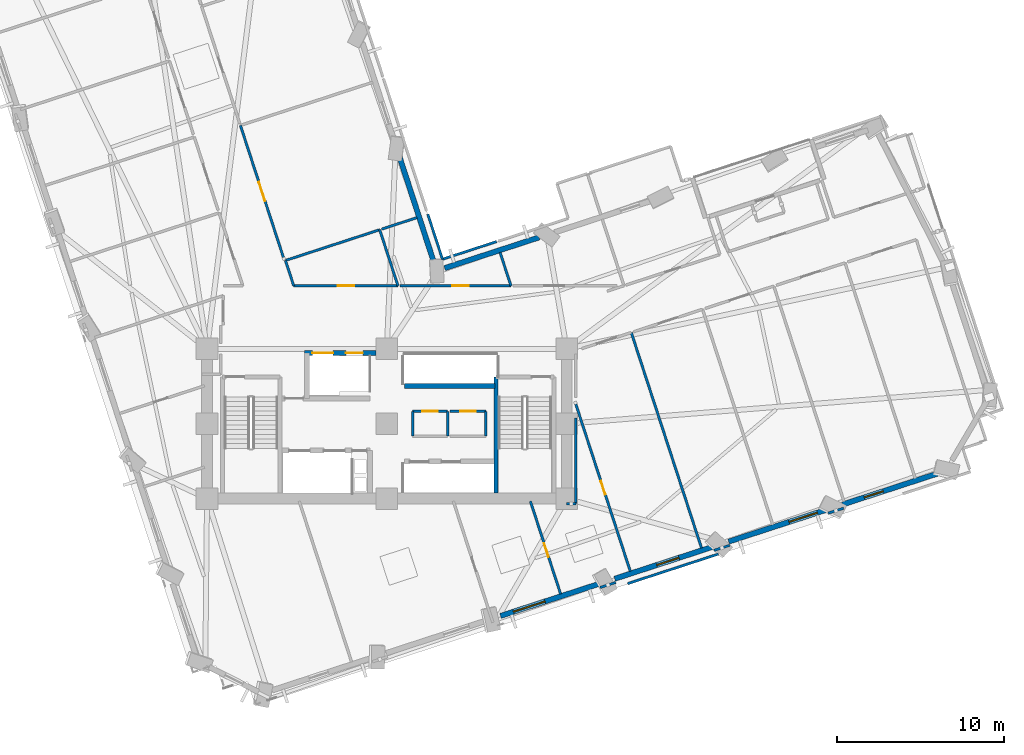
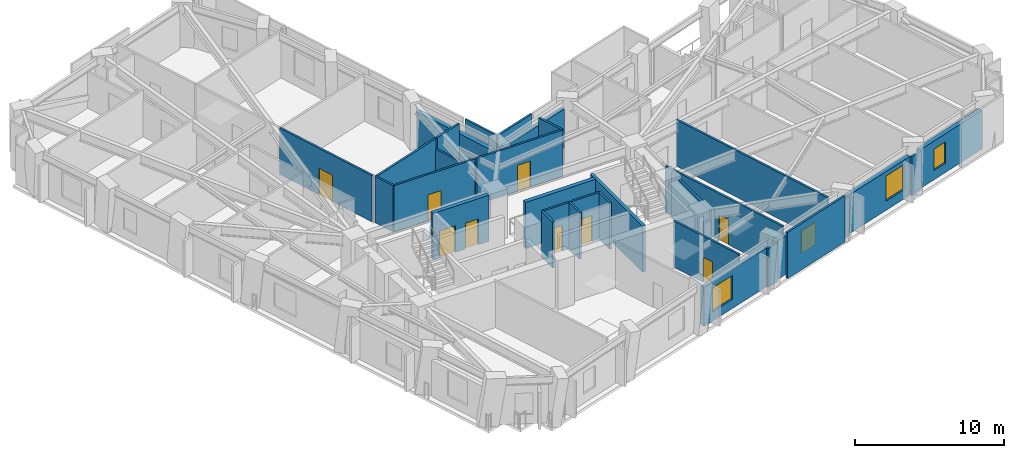
# One storey, part 8 of 16: 33 walls, 9 doors, 4 windows, 13 openings.
"""IFC4 building model written with IfcOpenShell, lengths in metres."""

from ifc_helpers import new_model, si_unit, direction, frame, frame_2d, origin, place, context, subcontext, project, spatial, rectangle, extrude, material, layer, layer_set, type_object, element, fill, save


model = new_model("IFC4")

# Units and contexts
model_context = context("Model", 3, precision=1e-05, world=origin(), true_north=direction((0.0, 1.0)))
body_context = subcontext(model_context, "Body", "Model", "MODEL_VIEW")
ifc_project = project(units=[si_unit("LENGTHUNIT", "METRE"), si_unit("AREAUNIT", "SQUARE_METRE"), si_unit("VOLUMEUNIT", "CUBIC_METRE"), si_unit("PLANEANGLEUNIT", "RADIAN"), si_unit("MASSUNIT", "GRAM", prefix="KILO")], contexts=[model_context])

# Site, building, storey
site_placement = place(None, origin())
site = spatial("IfcSite", under=ifc_project, at=site_placement, CompositionType="ELEMENT")
building_placement = place(site_placement, origin())
building = spatial("IfcBuilding", under=site, at=building_placement, Name="Gaonmaruhae Medical Tower", CompositionType="ELEMENT")
storey_placement = place(building_placement, frame((0.0, 0.0, 100.39990234375)))
storey = spatial("IfcBuildingStorey", under=building, at=storey_placement, Name="L23", CompositionType="ELEMENT", Elevation=100.39990234375)

# Wall, opening, window
ifc_material_1 = material(Name="Precast concrete C45/55", Category="concrete")
ifc_layer_1 = layer(ifc_material_1, 0.320068359375)
ifc_layer_set_1 = layer_set([ifc_layer_1], Name="Precast concrete C45/55")
wall_type_1 = type_object("IfcWallType", Name="EW-320 Lower Precast Masonry-Frame Facade Wall", PredefinedType="SOLIDWALL", material=ifc_layer_set_1)
wall_1_placement = place(storey_placement, frame((37.5361328125, 2.680908203125, 0.0), z_axis=(0.0, 0.0, 1.0), x_axis=(-0.950795017796, -0.309820648334, 0.0)))
wall_1 = element("IfcWall", 1, at=wall_1_placement, inside=storey, type_object=wall_type_1, Name="L23 Precast Masonry-Frame Wall S03-S04", PredefinedType="SOLIDWALL", context=body_context, shape_type="SweptSolid", body=[
    extrude(rectangle(XDim=6.214111328125, YDim=0.320068359375, at=frame_2d((3.10693359375, 0.0))), origin(), (0.0, 0.0, 1.0), 3.1650390625),
])
opening_1_placement = place(wall_1_placement, frame((3.3974609375, 0.0, 0.75)))
opening_1 = element("IfcOpeningElement", 2, at=opening_1_placement, cuts=wall_1, Name="Opening WN-02", PredefinedType="OPENING", context=body_context, shape_type="SweptSolid", body=[
    extrude(rectangle(XDim=2.0, YDim=1.949951171875, at=frame_2d((1.0, 0.97509765625))), frame((0.0, 0.169921875, 0.0), z_axis=(0.0, -1.0, 0.0), x_axis=(1.0, 0.0, 0.0)), (0.0, 0.0, 1.0), 0.340087890625),
])
ifc_material_2 = material(Name="Anodised aluminium and Low-E double glazing", Category="aluminium")
window_type_1 = type_object("IfcWindowType", Name="WN-02 Double-Bed Ward Punched Window 2000x1950", PartitioningType="SINGLE_PANEL", PredefinedType="WINDOW", material=ifc_material_2)
window_1_placement = place(opening_1_placement, origin())
window_1 = element("IfcWindow", 3, at=window_1_placement, inside=storey, type_object=window_type_1, Name="L23 Modular Facade Window S03", OverallHeight=1.949951171875, OverallWidth=2.0, PartitioningType="SINGLE_PANEL", PredefinedType="WINDOW", context=body_context, shape_type="SweptSolid", body=[
    extrude(rectangle(XDim=2.0, YDim=1.949951171875, at=frame_2d((1.0, 0.97509765625))), frame((0.0, 0.030029296875, 0.0), z_axis=(0.0, -1.0, 0.0), x_axis=(1.0, 0.0, 0.0)), (0.0, 0.0, 1.0), 0.06005859375),
])
fill(opening_1, window_1)

wall_2_placement = place(storey_placement, frame((44.382080078125, 4.912109375, 0.0), z_axis=(0.0, 0.0, 1.0), x_axis=(-0.950785253493, -0.309850611974, 0.0)))
wall_2 = element("IfcWall", 4, at=wall_2_placement, inside=storey, type_object=wall_type_1, Name="L23 Precast Masonry-Frame Wall S04-S05", PredefinedType="SOLIDWALL", context=body_context, shape_type="SweptSolid", body=[
    extrude(rectangle(XDim=6.208984375, YDim=0.320068359375, at=frame_2d((3.1044921875, 0.0))), origin(), (0.0, 0.0, 1.0), 3.1650390625),
])
opening_2_placement = place(wall_2_placement, frame((2.144287109375, 0.0, 0.75)))
opening_2 = element("IfcOpeningElement", 5, at=opening_2_placement, cuts=wall_2, Name="Opening WN-03", PredefinedType="OPENING", context=body_context, shape_type="SweptSolid", body=[
    extrude(rectangle(XDim=1.39990234375, YDim=1.85009765625, at=frame_2d((0.699951171875, 0.925048828125))), frame((0.0, 0.169921875, 0.0), z_axis=(0.0, -1.0, 0.0), x_axis=(1.0, 0.0, 0.0)), (0.0, 0.0, 1.0), 0.340087890625),
])
window_type_2 = type_object("IfcWindowType", Name="WN-03 Isolation Ward Punched Window 1400x1850", PartitioningType="SINGLE_PANEL", PredefinedType="WINDOW", material=ifc_material_2)
window_2_placement = place(opening_2_placement, origin())
window_2 = element("IfcWindow", 6, at=window_2_placement, inside=storey, type_object=window_type_2, Name="L23 Modular Facade Window S04", OverallHeight=1.85009765625, OverallWidth=1.39990234375, PartitioningType="SINGLE_PANEL", PredefinedType="WINDOW", context=body_context, shape_type="SweptSolid", body=[
    extrude(rectangle(XDim=1.39990234375, YDim=1.85009765625, at=frame_2d((0.699951171875, 0.925048828125))), frame((0.0, 0.030029296875, 0.0), z_axis=(0.0, -1.0, 0.0), x_axis=(1.0, 0.0, 0.0)), (0.0, 0.0, 1.0), 0.06005859375),
])
fill(opening_2, window_2)

wall_3_placement = place(storey_placement, frame((51.2353515625, 7.1455078125, 0.0), z_axis=(0.0, 0.0, 1.0), x_axis=(-0.950785923173, -0.309848557034, 0.0)))
wall_3 = element("IfcWall", 7, at=wall_3_placement, inside=storey, type_object=wall_type_1, Name="L23 Precast Masonry-Frame Wall S05-S06", PredefinedType="SOLIDWALL", context=body_context, shape_type="SweptSolid", body=[
    extrude(rectangle(XDim=6.218505859375, YDim=0.320068359375, at=frame_2d((3.109375, 0.0))), origin(), (0.0, 0.0, 1.0), 3.1650390625),
])
opening_3_placement = place(wall_3_placement, frame((0.6083984375, 0.0, 0.75)))
opening_3 = element("IfcOpeningElement", 8, at=opening_3_placement, cuts=wall_3, Name="Opening WN-04", PredefinedType="OPENING", context=body_context, shape_type="SweptSolid", body=[
    extrude(rectangle(XDim=1.800048828125, YDim=2.050048828125, at=frame_2d((0.89990234375, 1.02490234375))), frame((0.0, 0.169921875, 0.0), z_axis=(0.0, -1.0, 0.0), x_axis=(1.0, 0.0, 0.0)), (0.0, 0.0, 1.0), 0.340087890625),
])
window_type_3 = type_object("IfcWindowType", Name="WN-04 Clinic & Consult Punched Window 1800x2050", PartitioningType="SINGLE_PANEL", PredefinedType="WINDOW", material=ifc_material_2)
window_3_placement = place(opening_3_placement, origin())
window_3 = element("IfcWindow", 9, at=window_3_placement, inside=storey, type_object=window_type_3, Name="L23 Modular Facade Window S05", OverallHeight=2.050048828125, OverallWidth=1.800048828125, PartitioningType="SINGLE_PANEL", PredefinedType="WINDOW", context=body_context, shape_type="SweptSolid", body=[
    extrude(rectangle(XDim=1.800048828125, YDim=2.050048828125, at=frame_2d((0.89990234375, 1.02490234375))), frame((0.0, 0.030029296875, 0.0), z_axis=(0.0, -1.0, 0.0), x_axis=(1.0, 0.0, 0.0)), (0.0, 0.0, 1.0), 0.06005859375),
])
fill(opening_3, window_3)

wall_4_placement = place(storey_placement, frame((58.095703125, 9.381103515625, 0.0), z_axis=(0.0, 0.0, 1.0), x_axis=(-0.950793220237, -0.309826164729, 0.0)))
wall_4 = element("IfcWall", 10, at=wall_4_placement, inside=storey, type_object=wall_type_1, Name="L23 Precast Masonry-Frame Wall S06-S07", PredefinedType="SOLIDWALL", context=body_context, shape_type="SweptSolid", body=[
    extrude(rectangle(XDim=6.242431640625, YDim=0.320068359375, at=frame_2d((3.12109375, 0.0))), origin(), (0.0, 0.0, 1.0), 3.1650390625),
])
opening_4_placement = place(wall_4_placement, frame((3.66015625, 0.0, 0.75)))
opening_4 = element("IfcOpeningElement", 11, at=opening_4_placement, cuts=wall_4, Name="Opening WN-05", PredefinedType="OPENING", context=body_context, shape_type="SweptSolid", body=[
    extrude(rectangle(XDim=1.199951171875, YDim=1.75, at=frame_2d((0.60009765625, 0.875))), frame((0.0, 0.169921875, 0.0), z_axis=(0.0, -1.0, 0.0), x_axis=(1.0, 0.0, 0.0)), (0.0, 0.0, 1.0), 0.340087890625),
])
window_type_4 = type_object("IfcWindowType", Name="WN-05 Support & Staff Punched Window 1200x1750", PartitioningType="SINGLE_PANEL", PredefinedType="WINDOW", material=ifc_material_2)
window_4_placement = place(opening_4_placement, origin())
window_4 = element("IfcWindow", 12, at=window_4_placement, inside=storey, type_object=window_type_4, Name="L23 Modular Facade Window S06", OverallHeight=1.75, OverallWidth=1.199951171875, PartitioningType="SINGLE_PANEL", PredefinedType="WINDOW", context=body_context, shape_type="SweptSolid", body=[
    extrude(rectangle(XDim=1.199951171875, YDim=1.75, at=frame_2d((0.60009765625, 0.875))), frame((0.0, 0.030029296875, 0.0), z_axis=(0.0, -1.0, 0.0), x_axis=(1.0, 0.0, 0.0)), (0.0, 0.0, 1.0), 0.06005859375),
])
fill(opening_4, window_4)

# Walls
wall_5_placement = place(storey_placement, frame((28.270751953125, 21.643310546875, 0.0), z_axis=(0.0, 0.0, 1.0), x_axis=(0.950787828702, 0.309842709763, 0.0)))
element("IfcWall", 13, at=wall_5_placement, inside=storey, type_object=wall_type_1, Name="L23 Precast Masonry-Frame Wall EN03-KN01", PredefinedType="SOLIDWALL", context=body_context, shape_type="SweptSolid", body=[
    extrude(rectangle(XDim=5.9599609375, YDim=0.320068359375, at=frame_2d((2.97998046875, 0.0))), origin(), (0.0, 0.0, 1.0), 3.1650390625),
])
wall_6_placement = place(storey_placement, frame((25.55908203125, 28.334228515625, 0.0), z_axis=(0.0, 0.0, 1.0), x_axis=(0.30987156724, -0.950778424143, 0.0)))
element("IfcWall", 14, at=wall_6_placement, inside=storey, type_object=wall_type_1, Name="L23 Precast Masonry-Frame Wall KN01-NE01", PredefinedType="SOLIDWALL", context=body_context, shape_type="SweptSolid", body=[
    extrude(rectangle(XDim=6.760009765625, YDim=0.320068359375, at=frame_2d((3.3798828125, 0.0))), origin(), (0.0, 0.0, 1.0), 2.965087890625),
])
ifc_material_3 = material(Name="Gypsum board partition", Category="gypsum")
ifc_layer_2 = layer(ifc_material_3, 0.14990234375)
ifc_layer_set_2 = layer_set([ifc_layer_2], Name="Gypsum board partition")
wall_type_2 = type_object("IfcWallType", Name="PW-150 Rated Clinical Corridor Partition", PredefinedType="PARTITIONING", material=ifc_layer_set_2)
wall_7_placement = place(storey_placement, frame((26.35009765625, 11.56005859375, 0.0), z_axis=(0.0, 0.0, 1.0), x_axis=(0.0, 1.0, 0.0)))
element("IfcWall", 15, at=wall_7_placement, inside=storey, type_object=wall_type_2, Name="L23 Interior Partition L23-CS1-1", PredefinedType="PARTITIONING", context=body_context, shape_type="SweptSolid", body=[
    extrude(rectangle(XDim=1.47998046875, YDim=0.14990234375, at=frame_2d((0.739990234375, 0.0))), origin(), (0.0, 0.0, 1.0), 3.780029296875),
])

# Wall, opening, door
wall_8_placement = place(storey_placement, frame((26.35009765625, 13.0400390625, 0.0), z_axis=(0.0, 0.0, 1.0), x_axis=(1.0, 0.0, 0.0)))
wall_8 = element("IfcWall", 16, at=wall_8_placement, inside=storey, type_object=wall_type_2, Name="L23 Interior Partition L23-CS1-2", PredefinedType="PARTITIONING", context=body_context, shape_type="SweptSolid", body=[
    extrude(rectangle(XDim=2.099853515625, YDim=0.14990234375, at=frame_2d((1.0498046875, 0.0))), origin(), (0.0, 0.0, 1.0), 3.780029296875),
])
opening_5_placement = place(wall_8_placement, frame((0.590087890625, 0.0, 0.0)))
opening_5 = element("IfcOpeningElement", 17, at=opening_5_placement, cuts=wall_8, Name="Opening UD-01", PredefinedType="OPENING", context=body_context, shape_type="SweptSolid", body=[
    extrude(rectangle(XDim=0.919921875, YDim=2.10009765625, at=frame_2d((0.4599609375, 1.050048828125))), frame((0.0, 0.0849609375, 0.0), z_axis=(0.0, -1.0, 0.0), x_axis=(1.0, 0.0, 0.0)), (0.0, 0.0, 1.0), 0.169921875),
])
ifc_material_4 = material(Name="Powder-coated steel utility door", Category="steel")
door_type_1 = type_object("IfcDoorType", Name="UD-01 Toilet, Utility & Housekeeping Door 920x2100", OperationType="NOTDEFINED", PredefinedType="DOOR", material=ifc_material_4)
door_1_placement = place(opening_5_placement, origin())
door_1 = element("IfcDoor", 18, at=door_1_placement, inside=storey, type_object=door_type_1, Name="L23 Accessible Staff Toilet Door", OperationType="SINGLE_SWING_LEFT", OverallHeight=2.10009765625, OverallWidth=0.919921875, PredefinedType="DOOR", context=body_context, shape_type="SweptSolid", body=[
    extrude(rectangle(XDim=0.919921875, YDim=2.10009765625, at=frame_2d((0.4599609375, 1.050048828125))), frame((0.0, 0.02490234375, 0.0), z_axis=(0.0, -1.0, 0.0), x_axis=(1.0, 0.0, 0.0)), (0.0, 0.0, 1.0), 0.050048828125),
])
fill(opening_5, door_1)

# Wall
wall_9_placement = place(storey_placement, frame((28.449951171875, 13.0400390625, 0.0), z_axis=(0.0, 0.0, 1.0), x_axis=(0.0, -1.0, 0.0)))
element("IfcWall", 19, at=wall_9_placement, inside=storey, type_object=wall_type_2, Name="L23 Interior Partition L23-CS1-3", PredefinedType="PARTITIONING", context=body_context, shape_type="SweptSolid", body=[
    extrude(rectangle(XDim=1.47998046875, YDim=0.14990234375, at=frame_2d((0.739990234375, 0.0))), origin(), (0.0, 0.0, 1.0), 3.780029296875),
])

# Wall, opening, door
wall_10_placement = place(storey_placement, frame((28.60009765625, 13.0400390625, 0.0), z_axis=(0.0, 0.0, 1.0), x_axis=(1.0, 0.0, 0.0)))
wall_10 = element("IfcWall", 20, at=wall_10_placement, inside=storey, type_object=wall_type_2, Name="L23 Interior Partition L23-CS2-5", PredefinedType="PARTITIONING", context=body_context, shape_type="SweptSolid", body=[
    extrude(rectangle(XDim=2.14990234375, YDim=0.14990234375, at=frame_2d((1.074951171875, 0.0))), origin(), (0.0, 0.0, 1.0), 3.780029296875),
])
opening_6_placement = place(wall_10_placement, frame((0.614990234375, 0.0, 0.0)))
opening_6 = element("IfcOpeningElement", 21, at=opening_6_placement, cuts=wall_10, Name="Opening UD-01", PredefinedType="OPENING", context=body_context, shape_type="SweptSolid", body=[
    extrude(rectangle(XDim=0.919921875, YDim=2.10009765625, at=frame_2d((0.4599609375, 1.050048828125))), frame((0.0, 0.0849609375, 0.0), z_axis=(0.0, -1.0, 0.0), x_axis=(1.0, 0.0, 0.0)), (0.0, 0.0, 1.0), 0.169921875),
])
door_2_placement = place(opening_6_placement, origin())
door_2 = element("IfcDoor", 22, at=door_2_placement, inside=storey, type_object=door_type_1, Name="L23 Biomedical Telemetry Closet Door", OperationType="SINGLE_SWING_RIGHT", OverallHeight=2.10009765625, OverallWidth=0.919921875, PredefinedType="DOOR", context=body_context, shape_type="SweptSolid", body=[
    extrude(rectangle(XDim=0.919921875, YDim=2.10009765625, at=frame_2d((0.4599609375, 1.050048828125))), frame((0.0, 0.02490234375, 0.0), z_axis=(0.0, -1.0, 0.0), x_axis=(1.0, 0.0, 0.0)), (0.0, 0.0, 1.0), 0.050048828125),
])
fill(opening_6, door_2)

# Wall
wall_11_placement = place(storey_placement, frame((30.75, 13.0400390625, 0.0), z_axis=(0.0, 0.0, 1.0), x_axis=(0.0, -1.0, 0.0)))
element("IfcWall", 23, at=wall_11_placement, inside=storey, type_object=wall_type_2, Name="L23 Interior Partition L23-CS2-6", PredefinedType="PARTITIONING", context=body_context, shape_type="SweptSolid", body=[
    extrude(rectangle(XDim=1.47998046875, YDim=0.14990234375, at=frame_2d((0.739990234375, 0.0))), origin(), (0.0, 0.0, 1.0), 3.780029296875),
])

# Wall, opening, door
wall_12_placement = place(storey_placement, frame((33.4208984375, 7.64794921875, 0.0), z_axis=(0.0, 0.0, 1.0), x_axis=(0.309798827462, -0.950802127944, 0.0)))
wall_12 = element("IfcWall", 24, at=wall_12_placement, inside=storey, type_object=wall_type_2, Name="L23 Interior Partition L23-SUP05-13", PredefinedType="PARTITIONING", context=body_context, shape_type="SweptSolid", body=[
    extrude(rectangle(XDim=5.8623046875, YDim=0.14990234375, at=frame_2d((2.93115234375, 0.0))), origin(), (0.0, 0.0, 1.0), 3.780029296875),
])
opening_7_placement = place(wall_12_placement, frame((2.658935546875, 0.0, 0.0)))
opening_7 = element("IfcOpeningElement", 25, at=opening_7_placement, cuts=wall_12, Name="Opening AD-01", PredefinedType="OPENING", context=body_context, shape_type="SweptSolid", body=[
    extrude(rectangle(XDim=0.860107421875, YDim=2.06005859375, at=frame_2d((0.43017578125, 1.030029296875))), frame((0.0, 0.0849609375, 0.0), z_axis=(0.0, -1.0, 0.0), x_axis=(1.0, 0.0, 0.0)), (0.0, 0.0, 1.0), 0.169921875),
])
ifc_material_5 = material(Name="Powder-coated steel access door", Category="steel")
door_type_2 = type_object("IfcDoorType", Name="AD-01 Riser & Closet Access Fire Door 860x2060", OperationType="NOTDEFINED", PredefinedType="DOOR", material=ifc_material_5)
door_3_placement = place(opening_7_placement, origin())
door_3 = element("IfcDoor", 26, at=door_3_placement, inside=storey, type_object=door_type_2, Name="L23 Clinical Biomedical Charting Office Sliding Door", OperationType="SLIDING_TO_LEFT", OverallHeight=2.06005859375, OverallWidth=0.860107421875, PredefinedType="DOOR", context=body_context, shape_type="SweptSolid", body=[
    extrude(rectangle(XDim=0.860107421875, YDim=2.06005859375, at=frame_2d((0.43017578125, 1.030029296875))), frame((0.0, 0.02490234375, 0.0), z_axis=(0.0, -1.0, 0.0), x_axis=(1.0, 0.0, 0.0)), (0.0, 0.0, 1.0), 0.050048828125),
])
fill(opening_7, door_3)

wall_13_placement = place(storey_placement, frame((36.14990234375, 13.472900390625, 0.0), z_axis=(0.0, 0.0, 1.0), x_axis=(0.309885615187, -0.950773845612, 0.0)))
wall_13 = element("IfcWall", 27, at=wall_13_placement, inside=storey, type_object=wall_type_2, Name="L23 Interior Partition L23-SUP06-14", PredefinedType="PARTITIONING", context=body_context, shape_type="SweptSolid", body=[
    extrude(rectangle(XDim=10.555419921875, YDim=0.14990234375, at=frame_2d((5.27783203125, 0.0))), origin(), (0.0, 0.0, 1.0), 3.780029296875),
])
opening_8_placement = place(wall_13_placement, frame((4.847900390625, 0.0, 0.0)))
opening_8 = element("IfcOpeningElement", 28, at=opening_8_placement, cuts=wall_13, Name="Opening AD-01", PredefinedType="OPENING", context=body_context, shape_type="SweptSolid", body=[
    extrude(rectangle(XDim=0.860107421875, YDim=2.06005859375, at=frame_2d((0.43017578125, 1.030029296875))), frame((0.0, 0.0849609375, 0.0), z_axis=(0.0, -1.0, 0.0), x_axis=(1.0, 0.0, 0.0)), (0.0, 0.0, 1.0), 0.169921875),
])
door_4_placement = place(opening_8_placement, origin())
door_4 = element("IfcDoor", 29, at=door_4_placement, inside=storey, type_object=door_type_2, Name="L23 Clinical Biomedical Charting Office Sliding Door", OperationType="SLIDING_TO_LEFT", OverallHeight=2.06005859375, OverallWidth=0.860107421875, PredefinedType="DOOR", context=body_context, shape_type="SweptSolid", body=[
    extrude(rectangle(XDim=0.860107421875, YDim=2.06005859375, at=frame_2d((0.43017578125, 1.030029296875))), frame((0.0, 0.02490234375, 0.0), z_axis=(0.0, -1.0, 0.0), x_axis=(1.0, 0.0, 0.0)), (0.0, 0.0, 1.0), 0.050048828125),
])
fill(opening_8, door_4)

# Walls
wall_14_placement = place(storey_placement, frame((38.550048828125, 2.76904296875, 0.0), z_axis=(0.0, 0.0, 1.0), x_axis=(-0.950851208403, -0.309648154328, 0.0)))
element("IfcWall", 30, at=wall_14_placement, inside=storey, type_object=wall_type_2, Name="L23 Interior Partition L23-SUP06-15", PredefinedType="PARTITIONING", context=body_context, shape_type="SweptSolid", body=[
    extrude(rectangle(XDim=0.991943359375, YDim=0.14990234375, at=frame_2d((0.49609375, 0.0))), origin(), (0.0, 0.0, 1.0), 3.1650390625),
])
wall_15_placement = place(storey_placement, frame((35.60009765625, 7.5, 0.0), z_axis=(0.0, 0.0, 1.0), x_axis=(1.0, 0.0, 0.0)))
element("IfcWall", 31, at=wall_15_placement, inside=storey, type_object=wall_type_2, Name="L23 Interior Partition L23-SUP06-16", PredefinedType="PARTITIONING", context=body_context, shape_type="SweptSolid", body=[
    extrude(rectangle(XDim=0.5498046875, YDim=0.14990234375, at=frame_2d((0.27490234375, 0.0))), origin(), (0.0, 0.0, 1.0), 2.965087890625),
])
wall_16_placement = place(storey_placement, frame((36.14990234375, 7.5, 0.0), z_axis=(0.0, 0.0, 1.0), x_axis=(0.0, 1.0, 0.0)))
element("IfcWall", 32, at=wall_16_placement, inside=storey, type_object=wall_type_2, Name="L23 Interior Partition L23-SUP06-17", PredefinedType="PARTITIONING", context=body_context, shape_type="SweptSolid", body=[
    extrude(rectangle(XDim=5.134033203125, YDim=0.14990234375, at=frame_2d((2.56689453125, 0.0))), origin(), (0.0, 0.0, 1.0), 3.780029296875),
])
wall_17_placement = place(storey_placement, frame((39.48095703125, 17.77587890625, 0.0), z_axis=(0.0, 0.0, 1.0), x_axis=(0.309813403984, -0.950797378368, 0.0)))
element("IfcWall", 33, at=wall_17_placement, inside=storey, type_object=wall_type_2, Name="L23 Interior Partition L23-SUP07-19", PredefinedType="PARTITIONING", context=body_context, shape_type="SweptSolid", body=[
    extrude(rectangle(XDim=13.61474609375, YDim=0.14990234375, at=frame_2d((6.807373046875, 0.0))), origin(), (0.0, 0.0, 1.0), 3.780029296875),
])
wall_18_placement = place(storey_placement, frame((45.39404296875, 5.0, 0.0), z_axis=(0.0, 0.0, 1.0), x_axis=(-0.951025003629, -0.309113963566, 0.0)))
element("IfcWall", 34, at=wall_18_placement, inside=storey, type_object=wall_type_2, Name="L23 Interior Partition L23-SUP08-24", PredefinedType="PARTITIONING", context=body_context, shape_type="SweptSolid", body=[
    extrude(rectangle(XDim=0.98974609375, YDim=0.14990234375, at=frame_2d((0.494873046875, 0.0))), origin(), (0.0, 0.0, 1.0), 3.1650390625),
])
wall_19_placement = place(storey_placement, frame((52.23193359375, 7.22802734375, 0.0), z_axis=(0.0, 0.0, 1.0), x_axis=(-0.95091781001, -0.309443562877, 0.0)))
element("IfcWall", 35, at=wall_19_placement, inside=storey, type_object=wall_type_2, Name="L23 Interior Partition L23-SUP09-27", PredefinedType="PARTITIONING", context=body_context, shape_type="SweptSolid", body=[
    extrude(rectangle(XDim=0.972900390625, YDim=0.14990234375, at=frame_2d((0.486328125, 0.0))), origin(), (0.0, 0.0, 1.0), 3.1650390625),
])
wall_20_placement = place(storey_placement, frame((18.712890625, 22.10498046875, 0.0), z_axis=(0.0, 0.0, 1.0), x_axis=(0.950798675911, 0.309809421879, 0.0)))
element("IfcWall", 36, at=wall_20_placement, inside=storey, type_object=wall_type_2, Name="L23 Interior Partition L23-IE01-62", PredefinedType="PARTITIONING", context=body_context, shape_type="SweptSolid", body=[
    extrude(rectangle(XDim=5.9521484375, YDim=0.14990234375, at=frame_2d((2.97607421875, 0.0))), origin(), (0.0, 0.0, 1.0), 3.780029296875),
])
wall_21_placement = place(storey_placement, frame((24.3720703125, 23.948974609375, 0.0), z_axis=(0.0, 0.0, 1.0), x_axis=(0.309604883452, -0.950865298632, 0.0)))
element("IfcWall", 37, at=wall_21_placement, inside=storey, type_object=wall_type_2, Name="L23 Interior Partition L23-IE01-63", PredefinedType="PARTITIONING", context=body_context, shape_type="SweptSolid", body=[
    extrude(rectangle(XDim=3.54296875, YDim=0.14990234375, at=frame_2d((1.771484375, 0.0))), origin(), (0.0, 0.0, 1.0), 2.965087890625),
])

# Wall, opening, door
wall_22_placement = place(storey_placement, frame((25.468994140625, 20.580078125, 0.0), z_axis=(0.0, 0.0, 1.0), x_axis=(-1.0, 0.0, 0.0)))
wall_22 = element("IfcWall", 38, at=wall_22_placement, inside=storey, type_object=wall_type_2, Name="L23 Interior Partition L23-IE01-64", PredefinedType="PARTITIONING", context=body_context, shape_type="SweptSolid", body=[
    extrude(rectangle(XDim=6.260009765625, YDim=0.14990234375, at=frame_2d((3.1298828125, 0.0))), origin(), (0.0, 0.0, 1.0), 3.780029296875),
])
opening_9_placement = place(wall_22_placement, frame((2.6298828125, 0.0, 0.0)))
opening_9 = element("IfcOpeningElement", 39, at=opening_9_placement, cuts=wall_22, Name="Opening CD-01", PredefinedType="OPENING", context=body_context, shape_type="SweptSolid", body=[
    extrude(rectangle(XDim=1.0, YDim=2.1201171875, at=frame_2d((0.5, 1.06005859375))), frame((0.0, 0.0849609375, 0.0), z_axis=(0.0, -1.0, 0.0), x_axis=(1.0, 0.0, 0.0)), (0.0, 0.0, 1.0), 0.169921875),
])
ifc_material_6 = material(Name="Antimicrobial laminate timber fire door", Category="wood")
door_type_3 = type_object("IfcDoorType", Name="CD-01 Consultation & Physician Office Door 1000x2120", OperationType="NOTDEFINED", PredefinedType="DOOR", material=ifc_material_6)
door_5_placement = place(opening_9_placement, origin())
door_5 = element("IfcDoor", 40, at=door_5_placement, inside=storey, type_object=door_type_3, Name="L23 Central Clinical Nurse Station Door", OperationType="SINGLE_SWING_LEFT", OverallHeight=2.1201171875, OverallWidth=1.0, PredefinedType="DOOR", context=body_context, shape_type="SweptSolid", body=[
    extrude(rectangle(XDim=1.0, YDim=2.1201171875, at=frame_2d((0.5, 1.06005859375))), frame((0.0, 0.02490234375, 0.0), z_axis=(0.0, -1.0, 0.0), x_axis=(1.0, 0.0, 0.0)), (0.0, 0.0, 1.0), 0.050048828125),
])
fill(opening_9, door_5)

# Walls
wall_23_placement = place(storey_placement, frame((19.208984375, 20.580078125, 0.0), z_axis=(0.0, 0.0, 1.0), x_axis=(-0.309368350473, 0.950942282016, 0.0)))
element("IfcWall", 41, at=wall_23_placement, inside=storey, type_object=wall_type_2, Name="L23 Interior Partition L23-IE01-65", PredefinedType="PARTITIONING", context=body_context, shape_type="SweptSolid", body=[
    extrude(rectangle(XDim=1.603515625, YDim=0.14990234375, at=frame_2d((0.8017578125, 0.0))), origin(), (0.0, 0.0, 1.0), 3.780029296875),
])
wall_24_placement = place(storey_placement, frame((24.486083984375, 23.986083984375, 0.0), z_axis=(0.0, 0.0, 1.0), x_axis=(0.950772569681, 0.3098895299, 0.0)))
element("IfcWall", 42, at=wall_24_placement, inside=storey, type_object=wall_type_2, Name="L23 Interior Partition L23-IE02-66", PredefinedType="PARTITIONING", context=body_context, shape_type="SweptSolid", body=[
    extrude(rectangle(XDim=2.232666015625, YDim=0.14990234375, at=frame_2d((1.1162109375, 0.0))), origin(), (0.0, 0.0, 1.0), 3.780029296875),
])
wall_25_placement = place(storey_placement, frame((27.260009765625, 24.889892578125, 0.0), z_axis=(0.0, 0.0, 1.0), x_axis=(0.309821982593, -0.950794583021, 0.0)))
element("IfcWall", 43, at=wall_25_placement, inside=storey, type_object=wall_type_2, Name="L23 Interior Partition L23-IE02-67", PredefinedType="PARTITIONING", context=body_context, shape_type="SweptSolid", body=[
    extrude(rectangle(XDim=2.85009765625, YDim=0.14990234375, at=frame_2d((1.425048828125, 0.0))), origin(), (0.0, 0.0, 1.0), 3.780029296875),
])
wall_26_placement = place(storey_placement, frame((28.14306640625, 22.179931640625, 0.0), z_axis=(0.0, 0.0, 1.0), x_axis=(0.950757786867, 0.309934881405, 0.0)))
element("IfcWall", 44, at=wall_26_placement, inside=storey, type_object=wall_type_2, Name="L23 Interior Partition L23-IE02-68", PredefinedType="PARTITIONING", context=body_context, shape_type="SweptSolid", body=[
    extrude(rectangle(XDim=3.4140625, YDim=0.14990234375, at=frame_2d((1.70703125, 0.0))), origin(), (0.0, 0.0, 1.0), 3.780029296875),
])
wall_27_placement = place(storey_placement, frame((31.60107421875, 22.5869140625, 0.0), z_axis=(0.0, 0.0, 1.0), x_axis=(0.309766024329, -0.950812815528, 0.0)))
element("IfcWall", 45, at=wall_27_placement, inside=storey, type_object=wall_type_2, Name="L23 Interior Partition L23-IE02-69", PredefinedType="PARTITIONING", context=body_context, shape_type="SweptSolid", body=[
    extrude(rectangle(XDim=2.110595703125, YDim=0.14990234375, at=frame_2d((1.05517578125, 0.0))), origin(), (0.0, 0.0, 1.0), 3.780029296875),
])

# Wall, opening, door
wall_28_placement = place(storey_placement, frame((32.2548828125, 20.580078125, 0.0), z_axis=(0.0, 0.0, 1.0), x_axis=(-1.0, 0.0, 0.0)))
wall_28 = element("IfcWall", 46, at=wall_28_placement, inside=storey, type_object=wall_type_2, Name="L23 Interior Partition L23-IE02-70", PredefinedType="PARTITIONING", context=body_context, shape_type="SweptSolid", body=[
    extrude(rectangle(XDim=6.658935546875, YDim=0.14990234375, at=frame_2d((3.32958984375, 0.0))), origin(), (0.0, 0.0, 1.0), 3.780029296875),
])
opening_10_placement = place(wall_28_placement, frame((2.523681640625, 0.0, 0.0)))
opening_10 = element("IfcOpeningElement", 47, at=opening_10_placement, cuts=wall_28, Name="Opening CD-01", PredefinedType="OPENING", context=body_context, shape_type="SweptSolid", body=[
    extrude(rectangle(XDim=1.0, YDim=2.1201171875, at=frame_2d((0.5, 1.06005859375))), frame((0.0, 0.0849609375, 0.0), z_axis=(0.0, -1.0, 0.0), x_axis=(1.0, 0.0, 0.0)), (0.0, 0.0, 1.0), 0.169921875),
])
door_6_placement = place(opening_10_placement, origin())
door_6 = element("IfcDoor", 48, at=door_6_placement, inside=storey, type_object=door_type_3, Name="L23 Acute Treatment Examination Room Door", OperationType="SINGLE_SWING_LEFT", OverallHeight=2.1201171875, OverallWidth=1.0, PredefinedType="DOOR", context=body_context, shape_type="SweptSolid", body=[
    extrude(rectangle(XDim=1.0, YDim=2.1201171875, at=frame_2d((0.5, 1.06005859375))), frame((0.0, 0.02490234375, 0.0), z_axis=(0.0, -1.0, 0.0), x_axis=(1.0, 0.0, 0.0)), (0.0, 0.0, 1.0), 0.050048828125),
])
fill(opening_10, door_6)

wall_29_placement = place(storey_placement, frame((18.590087890625, 22.285888671875, 0.0), z_axis=(0.0, 0.0, 1.0), x_axis=(-0.30984457051, 0.950787222319, 0.0)))
wall_29 = element("IfcWall", 49, at=wall_29_placement, inside=storey, type_object=wall_type_2, Name="L23 Interior Partition L23-IN01-96", PredefinedType="PARTITIONING", context=body_context, shape_type="SweptSolid", body=[
    extrude(rectangle(XDim=8.339599609375, YDim=0.14990234375, at=frame_2d((4.169921875, 0.0))), origin(), (0.0, 0.0, 1.0), 3.780029296875),
])
opening_11_placement = place(wall_29_placement, frame((3.569580078125, 0.0, 0.0)))
opening_11 = element("IfcOpeningElement", 50, at=opening_11_placement, cuts=wall_29, Name="Opening CD-02", PredefinedType="OPENING", context=body_context, shape_type="SweptSolid", body=[
    extrude(rectangle(XDim=1.199951171875, YDim=2.14990234375, at=frame_2d((0.60009765625, 1.074951171875))), frame((0.0, 0.0849609375, 0.0), z_axis=(0.0, -1.0, 0.0), x_axis=(1.0, 0.0, 0.0)), (0.0, 0.0, 1.0), 0.169921875),
])
door_type_4 = type_object("IfcDoorType", Name="CD-02 Clinical Treatment & Procedure Door 1200x2150", OperationType="NOTDEFINED", PredefinedType="DOOR", material=ifc_material_6)
door_7_placement = place(opening_11_placement, origin())
door_7 = element("IfcDoor", 51, at=door_7_placement, inside=storey, type_object=door_type_4, Name="L23 Physician Consultation Office Door", OperationType="SINGLE_SWING_RIGHT", OverallHeight=2.14990234375, OverallWidth=1.199951171875, PredefinedType="DOOR", context=body_context, shape_type="SweptSolid", body=[
    extrude(rectangle(XDim=1.199951171875, YDim=2.14990234375, at=frame_2d((0.60009765625, 1.074951171875))), frame((0.0, 0.02490234375, 0.0), z_axis=(0.0, -1.0, 0.0), x_axis=(1.0, 0.0, 0.0)), (0.0, 0.0, 1.0), 0.050048828125),
])
fill(opening_11, door_7)

# Walls
wall_30_placement = place(storey_placement, frame((44.715087890625, 4.47412109375, 0.0), z_axis=(0.0, 0.0, 1.0), x_axis=(-0.950751095858, -0.309955406027, 0.0)))
element("IfcWall", 52, at=wall_30_placement, inside=storey, type_object=wall_type_2, Name="L23 Interior Partition L23-RM02-110", PredefinedType="PARTITIONING", context=body_context, shape_type="SweptSolid", body=[
    extrude(rectangle(XDim=5.73974609375, YDim=0.14990234375, at=frame_2d((2.869873046875, 0.0))), origin(), (0.0, 0.0, 1.0), 3.780029296875),
])
ifc_material_7 = material(Name="Concrete C50/60", Category="concrete")
ifc_layer_3 = layer(ifc_material_7, 0.239990234375)
ifc_layer_set_3 = layer_set([ifc_layer_3], Name="Concrete C50/60")
wall_type_3 = type_object("IfcWallType", Name="SW-240 Dogleg Stair Tight Shaft Wall", PredefinedType="SOLIDWALL", material=ifc_layer_set_3)
wall_31_placement = place(storey_placement, frame((31.3701171875, 8.125, 0.0), z_axis=(0.0, 0.0, 1.0), x_axis=(0.0, 1.0, 0.0)))
element("IfcWall", 53, at=wall_31_placement, inside=storey, type_object=wall_type_3, Name="L23 ST-02 Stair Shaft Wall SHW-ST-02-W", PredefinedType="SOLIDWALL", context=body_context, shape_type="SweptSolid", body=[
    extrude(rectangle(XDim=6.9951171875, YDim=0.239990234375, at=frame_2d((3.49755859375, 0.0))), origin(), (0.0, 0.0, 1.0), 3.780029296875),
])

# Wall, openings, doors
ifc_layer_4 = layer(ifc_material_7, 0.300048828125)
ifc_layer_set_4 = layer_set([ifc_layer_4], Name="Concrete C50/60")
wall_type_4 = type_object("IfcWallType", Name="SW-300 Stair & Lift Hoistway Shaft Wall", PredefinedType="SOLIDWALL", material=ifc_layer_set_4)
wall_32_placement = place(storey_placement, frame((19.85009765625, 16.550048828125, 0.0), z_axis=(0.0, 0.0, 1.0), x_axis=(1.0, 0.0, 0.0)))
wall_32 = element("IfcWall", 54, at=wall_32_placement, inside=storey, type_object=wall_type_4, Name="L23 Core Shear Wall CSW-NB", PredefinedType="SOLIDWALL", context=body_context, shape_type="SweptSolid", body=[
    extrude(rectangle(XDim=4.2998046875, YDim=0.300048828125, at=frame_2d((2.14990234375, 0.0))), origin(), (0.0, 0.0, 1.0), 3.780029296875),
])
opening_12_placement = place(wall_32_placement, frame((0.47509765625, 0.0, 0.0)))
opening_12 = element("IfcOpeningElement", 55, at=opening_12_placement, cuts=wall_32, Name="Opening LD-F1", PredefinedType="OPENING", context=body_context, shape_type="SweptSolid", body=[
    extrude(rectangle(XDim=1.25, YDim=2.179931640625, at=frame_2d((0.625, 1.08984375))), frame((0.0, 0.16015625, 0.0), z_axis=(0.0, -1.0, 0.0), x_axis=(1.0, 0.0, 0.0)), (0.0, 0.0, 1.0), 0.320068359375),
])
opening_13_placement = place(wall_32_placement, frame((2.489990234375, 0.0, 0.0)))
opening_13 = element("IfcOpeningElement", 56, at=opening_13_placement, cuts=wall_32, Name="Opening LD-S1", PredefinedType="OPENING", context=body_context, shape_type="SweptSolid", body=[
    extrude(rectangle(XDim=1.02001953125, YDim=2.1201171875, at=frame_2d((0.510009765625, 1.06005859375))), frame((0.0, 0.16015625, 0.0), z_axis=(0.0, -1.0, 0.0), x_axis=(1.0, 0.0, 0.0)), (0.0, 0.0, 1.0), 0.320068359375),
])
ifc_material_8 = material(Name="Brushed stainless steel 316L landing door", Category="steel")
door_type_5 = type_object("IfcDoorType", Name="LD-F1 Firefighting & Bed Lift Sliding Landing Door 1250x2180", OperationType="NOTDEFINED", PredefinedType="DOOR", material=ifc_material_8)
door_8_placement = place(opening_12_placement, origin())
door_8 = element("IfcDoor", 57, at=door_8_placement, inside=storey, type_object=door_type_5, Name="L23 Service/Bed Lift Landing Door BDL-01", OperationType="DOUBLE_DOOR_SLIDING", OverallHeight=2.179931640625, OverallWidth=1.25, PredefinedType="DOOR", context=body_context, shape_type="SweptSolid", body=[
    extrude(rectangle(XDim=1.25, YDim=2.179931640625, at=frame_2d((0.625, 1.08984375))), frame((0.0, 0.02490234375, 0.0), z_axis=(0.0, -1.0, 0.0), x_axis=(1.0, 0.0, 0.0)), (0.0, 0.0, 1.0), 0.050048828125),
])
fill(opening_12, door_8)
ifc_material_9 = material(Name="Brushed stainless steel 304 landing door", Category="steel")
door_type_6 = type_object("IfcDoorType", Name="LD-S1 Service Lift Sliding Landing Door 1020x2120", OperationType="NOTDEFINED", PredefinedType="DOOR", material=ifc_material_9)
door_9_placement = place(opening_13_placement, origin())
door_9 = element("IfcDoor", 58, at=door_9_placement, inside=storey, type_object=door_type_6, Name="L23 Service/Bed Lift Landing Door SVL-01", OperationType="SLIDING_TO_LEFT", OverallHeight=2.1201171875, OverallWidth=1.02001953125, PredefinedType="DOOR", context=body_context, shape_type="SweptSolid", body=[
    extrude(rectangle(XDim=1.02001953125, YDim=2.1201171875, at=frame_2d((0.510009765625, 1.06005859375))), frame((0.0, 0.02490234375, 0.0), z_axis=(0.0, -1.0, 0.0), x_axis=(1.0, 0.0, 0.0)), (0.0, 0.0, 1.0), 0.050048828125),
])
fill(opening_13, door_9)

# Wall
wall_33_placement = place(storey_placement, frame((25.85009765625, 14.580078125, 0.0), z_axis=(0.0, 0.0, 1.0), x_axis=(1.0, 0.0, 0.0)))
element("IfcWall", 59, at=wall_33_placement, inside=storey, type_object=wall_type_4, Name="L23 Shaft Enclosure Wall SHW-PLN", PredefinedType="SOLIDWALL", context=body_context, shape_type="SweptSolid", body=[
    extrude(rectangle(XDim=5.449951171875, YDim=0.300048828125, at=frame_2d((2.72509765625, 0.0))), origin(), (0.0, 0.0, 1.0), 3.780029296875),
])

save(model, "model.ifc")
